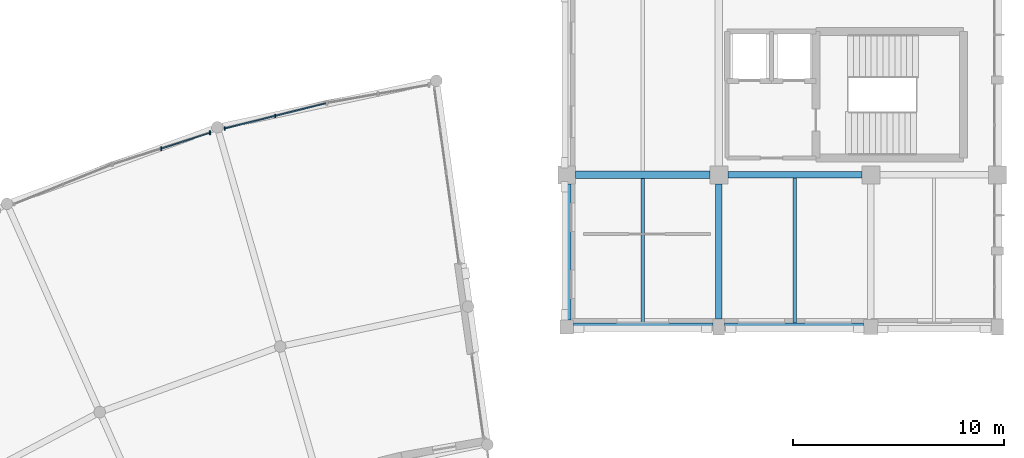
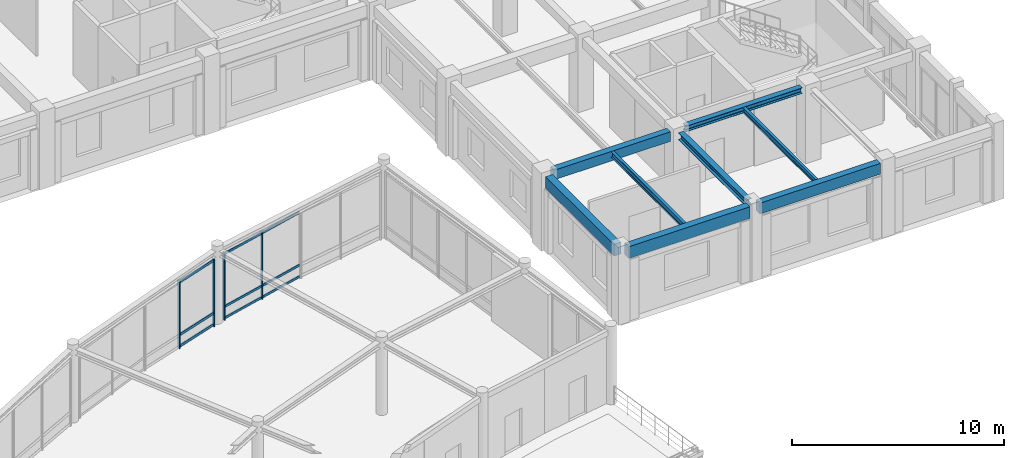
# One storey, part 24 of 62: 13 members, 8 beams, 2 elements without a shape of their own.
"""IFC4 building model written with IfcOpenShell, lengths in metres."""

from ifc_helpers import new_model, si_unit, direction, frame, origin, origin_2d, place, context, subcontext, project, spatial, rectangle, i_section, extrude, material, material_profile, profile_set, type_object, element, aggregate, save


model = new_model("IFC4")

# Units and contexts
model_context = context("Model", 3, precision=1e-05, world=origin(), true_north=direction((0.0, 1.0)))
body_context = subcontext(model_context, "Body", "Model", "MODEL_VIEW")
ifc_project = project(units=[si_unit("LENGTHUNIT", "METRE"), si_unit("AREAUNIT", "SQUARE_METRE"), si_unit("VOLUMEUNIT", "CUBIC_METRE"), si_unit("PLANEANGLEUNIT", "RADIAN"), si_unit("MASSUNIT", "GRAM", prefix="KILO")], contexts=[model_context])

# Site, building, storey
site_placement = place(None, origin())
site = spatial("IfcSite", under=ifc_project, at=site_placement, CompositionType="ELEMENT")
building_placement = place(site_placement, origin())
building = spatial("IfcBuilding", under=site, at=building_placement, Name="Clarverna Civic Hall", CompositionType="ELEMENT")
storey_placement = place(building_placement, frame((0.0, 0.0, 5.10009765625)))
storey = spatial("IfcBuildingStorey", under=building, at=storey_placement, Name="L01", CompositionType="ELEMENT", Elevation=5.10009765625)

# Beams
ifc_material_1 = material(Name="Concrete C35/45", Category="concrete")
ifc_material_profile_1 = material_profile(ifc_material_1, rectangle(XDim=0.35009765625, YDim=0.550048828125, at=origin_2d()), Name="RC 350x550")
ifc_profile_set_1 = profile_set([ifc_material_profile_1], Name="Concrete C35/45")
beam_type_1 = type_object("IfcBeamType", Name="B-RC9", PredefinedType="BEAM", material=ifc_profile_set_1)
beam_1_placement = place(storey_placement, frame((148.02490234375, 78.800048828125, 3.94482421875), z_axis=(1.0, 0.0, 0.0), x_axis=(0.0, 1.0, 0.0)))
element("IfcBeam", 1, at=beam_1_placement, inside=storey, type_object=beam_type_1, Name="B-RC9-026", PredefinedType="BEAM", context=body_context, shape_type="SweptSolid", body=[
    extrude(rectangle(XDim=0.35009765625, YDim=0.550048828125, at=origin_2d()), origin(), (0.0, 0.0, 1.0), 6.35009765625),
])
ifc_material_profile_2 = material_profile(ifc_material_1, rectangle(XDim=0.3798828125, YDim=0.679931640625, at=origin_2d()), Name="RC 380x680")
ifc_profile_set_2 = profile_set([ifc_material_profile_2], Name="Concrete C35/45")
beam_type_2 = type_object("IfcBeamType", Name="B-SP2", PredefinedType="SPANDREL", material=ifc_profile_set_2)
beam_2_placement = place(storey_placement, frame((147.925048828125, 71.60009765625, 3.8798828125), z_axis=(1.0, 0.0, 0.0), x_axis=(0.0, 1.0, 0.0)))
element("IfcBeam", 2, at=beam_2_placement, inside=storey, type_object=beam_type_2, Name="B-SP2-061", PredefinedType="SPANDREL", context=body_context, shape_type="SweptSolid", body=[
    extrude(rectangle(XDim=0.3798828125, YDim=0.679931640625, at=origin_2d()), origin(), (0.0, 0.0, 1.0), 6.599853515625),
])
beam_3_placement = place(storey_placement, frame((147.60009765625, 71.925048828125, 3.8798828125), z_axis=(0.0, 1.0, 0.0), x_axis=(-1.0, 0.0, 0.0)))
element("IfcBeam", 3, at=beam_3_placement, inside=storey, type_object=beam_type_2, Name="B-SP2-080", PredefinedType="SPANDREL", context=body_context, shape_type="SweptSolid", body=[
    extrude(rectangle(XDim=0.3798828125, YDim=0.679931640625, at=origin_2d()), origin(), (0.0, 0.0, 1.0), 6.449951171875),
])
ifc_material_profile_3 = material_profile(ifc_material_1, rectangle(XDim=0.360107421875, YDim=0.6201171875, at=origin_2d()), Name="RC 360x620")
ifc_profile_set_3 = profile_set([ifc_material_profile_3], Name="Concrete C35/45")
beam_type_3 = type_object("IfcBeamType", Name="B-SP3", PredefinedType="SPANDREL", material=ifc_profile_set_3)
beam_4_placement = place(storey_placement, frame((155.074951171875, 71.60009765625, 3.909912109375), z_axis=(1.0, 0.0, 0.0), x_axis=(0.0, 1.0, 0.0)))
element("IfcBeam", 4, at=beam_4_placement, inside=storey, type_object=beam_type_3, Name="B-SP3-062", PredefinedType="SPANDREL", context=body_context, shape_type="SweptSolid", body=[
    extrude(rectangle(XDim=0.360107421875, YDim=0.6201171875, at=origin_2d()), origin(), (0.0, 0.0, 1.0), 6.574951171875),
])
ifc_material_2 = material(Name="Steel S355", Category="steel")
ifc_material_profile_4 = material_profile(ifc_material_2, i_section(OverallWidth=0.300048828125, OverallDepth=0.39990234375, WebThickness=0.013427734375, FlangeThickness=0.02392578125, FilletRadius=0.027099609375, at=origin_2d()), Name="HEB 400")
ifc_profile_set_4 = profile_set([ifc_material_profile_4], Name="Steel S355")
beam_type_4 = type_object("IfcBeamType", Name="B-ST4", PredefinedType="BEAM", material=ifc_profile_set_4)
beam_5_placement = place(storey_placement, frame((154.800048828125, 71.97509765625, 4.02001953125), z_axis=(0.0, 1.0, 0.0), x_axis=(-1.0, 0.0, 0.0)))
element("IfcBeam", 5, at=beam_5_placement, inside=storey, type_object=beam_type_4, Name="B-ST4-008", PredefinedType="BEAM", context=body_context, shape_type="SweptSolid", body=[
    extrude(i_section(OverallWidth=0.300048828125, OverallDepth=0.39990234375, WebThickness=0.013427734375, FlangeThickness=0.02392578125, FilletRadius=0.027099609375, at=origin_2d()), origin(), (0.0, 0.0, 1.0), 6.39990234375),
])
ifc_material_profile_5 = material_profile(ifc_material_2, i_section(OverallWidth=0.300048828125, OverallDepth=0.330078125, WebThickness=0.009521484375, FlangeThickness=0.0166015625, FilletRadius=0.027099609375, at=origin_2d()), Name="HEA 340")
ifc_profile_set_5 = profile_set([ifc_material_profile_5], Name="Steel S355")
beam_type_5 = type_object("IfcBeamType", Name="B-ST8", PredefinedType="BEAM", material=ifc_profile_set_5)
beam_6_placement = place(storey_placement, frame((155.22509765625, 78.800048828125, 4.054931640625), z_axis=(1.0, 0.0, 0.0), x_axis=(0.0, 1.0, 0.0)))
element("IfcBeam", 6, at=beam_6_placement, inside=storey, type_object=beam_type_5, Name="B-ST8-055", PredefinedType="BEAM", context=body_context, shape_type="SweptSolid", body=[
    extrude(i_section(OverallWidth=0.300048828125, OverallDepth=0.330078125, WebThickness=0.009521484375, FlangeThickness=0.0166015625, FilletRadius=0.027099609375, at=origin_2d()), origin(), (0.0, 0.0, 1.0), 6.349853515625),
])

# Curtain wall, members
ifc_material_3 = material(Name="Anodised Bronze Architectural Aluminium", Category="aluminium")
curtain_wall_type = type_object("IfcCurtainWallType", Name="CW-03", PredefinedType="USERDEFINED", material=ifc_material_3)
curtain_wall_1_placement = place(storey_placement, origin())
curtain_wall_1 = element("IfcCurtainWall", 7, at=curtain_wall_1_placement, inside=storey, type_object=curtain_wall_type, Name="CW-03-033", ObjectType="UNITISED CURTAIN WALL", PredefinedType="USERDEFINED")
ifc_material_profile_6 = material_profile(ifc_material_3, rectangle(XDim=0.06005859375, YDim=0.179931640625, at=origin_2d()), Name="BRONZE 60x180")
ifc_profile_set_6 = profile_set([ifc_material_profile_6], Name="Anodised Bronze Architectural Aluminium")
member_type_1 = type_object("IfcMemberType", Name="CWM-01", PredefinedType="MULLION", material=ifc_profile_set_6)
member_1_placement = place(storey_placement, frame((128.393310546875, 80.044921875, 0.0), z_axis=(0.0, 0.0, 1.0), x_axis=(1.0, 0.0, 0.0)))
member_1 = element("IfcMember", 8, at=member_1_placement, type_object=member_type_1, Name="CWM-01-048", PredefinedType="MULLION", context=body_context, shape_type="SweptSolid", body=[
    extrude(rectangle(XDim=0.06005859375, YDim=0.179931640625, at=origin_2d()), origin(), (0.0, 0.0, 1.0), 3.889892578125),
])
member_2_placement = place(storey_placement, frame((130.705078125, 80.796142578125, 0.0), z_axis=(0.0, 0.0, 1.0), x_axis=(1.0, 0.0, 0.0)))
member_2 = element("IfcMember", 9, at=member_2_placement, type_object=member_type_1, Name="CWM-01-049", PredefinedType="MULLION", context=body_context, shape_type="SweptSolid", body=[
    extrude(rectangle(XDim=0.06005859375, YDim=0.179931640625, at=origin_2d()), origin(), (0.0, 0.0, 1.0), 3.889892578125),
])

curtain_wall_2_placement = place(storey_placement, origin())
curtain_wall_2 = element("IfcCurtainWall", 10, at=curtain_wall_2_placement, inside=storey, type_object=curtain_wall_type, Name="CW-03-034", ObjectType="UNITISED CURTAIN WALL", PredefinedType="USERDEFINED")
ifc_material_profile_7 = material_profile(ifc_material_3, rectangle(XDim=0.06005859375, YDim=0.159912109375, at=origin_2d()), Name="BRONZE 60x160")
ifc_profile_set_7 = profile_set([ifc_material_profile_7], Name="Anodised Bronze Architectural Aluminium")
member_type_2 = type_object("IfcMemberType", Name="CWM-02", PredefinedType="MULLION", material=ifc_profile_set_7)
member_3_placement = place(storey_placement, frame((131.398681640625, 80.998291015625, 0.0), z_axis=(0.0, 0.0, 1.0), x_axis=(1.0, 0.0, 0.0)))
member_3 = element("IfcMember", 11, at=member_3_placement, type_object=member_type_2, Name="CWM-02-059", PredefinedType="MULLION", context=body_context, shape_type="SweptSolid", body=[
    extrude(rectangle(XDim=0.06005859375, YDim=0.159912109375, at=origin_2d()), origin(), (0.0, 0.0, 1.0), 3.889892578125),
])
member_4_placement = place(storey_placement, frame((133.799560546875, 81.5966796875, 0.0), z_axis=(0.0, 0.0, 1.0), x_axis=(1.0, 0.0, 0.0)))
member_4 = element("IfcMember", 12, at=member_4_placement, type_object=member_type_2, Name="CWM-02-060", PredefinedType="MULLION", context=body_context, shape_type="SweptSolid", body=[
    extrude(rectangle(XDim=0.06005859375, YDim=0.159912109375, at=origin_2d()), origin(), (0.0, 0.0, 1.0), 3.889892578125),
])

# Member
ifc_material_profile_8 = material_profile(ifc_material_3, rectangle(XDim=0.06005859375, YDim=0.14990234375, at=origin_2d()), Name="BRONZE 60x150")
ifc_profile_set_8 = profile_set([ifc_material_profile_8], Name="Anodised Bronze Architectural Aluminium")
member_type_3 = type_object("IfcMemberType", Name="CWT-01", PredefinedType="USERDEFINED", material=ifc_profile_set_8)
member_5_placement = place(storey_placement, frame((128.407470703125, 80.049560546875, 0.094970703125), z_axis=(0.951055736875, 0.309019393175, 0.0), x_axis=(-0.309019393175, 0.951055736875, 0.0)))
member_5 = element("IfcMember", 13, at=member_5_placement, type_object=member_type_3, Name="CWT-01-100", ObjectType="TRANSOM", PredefinedType="USERDEFINED", context=body_context, shape_type="SweptSolid", body=[
    extrude(rectangle(XDim=0.06005859375, YDim=0.14990234375, at=origin_2d()), origin(), (0.0, 0.0, 1.0), 2.40087890625),
])

member_6_placement = place(storey_placement, frame((128.407470703125, 80.049560546875, 0.75), z_axis=(0.951055736875, 0.309019393175, 0.0), x_axis=(-0.309019393175, 0.951055736875, 0.0)))
member_6 = element("IfcMember", 14, at=member_6_placement, type_object=member_type_3, Name="CWT-01-101", ObjectType="TRANSOM", PredefinedType="USERDEFINED", context=body_context, shape_type="SweptSolid", body=[
    extrude(rectangle(XDim=0.06005859375, YDim=0.14990234375, at=origin_2d()), origin(), (0.0, 0.0, 1.0), 2.40087890625),
])

member_7_placement = place(storey_placement, frame((128.407470703125, 80.049560546875, 3.794921875), z_axis=(0.951055736875, 0.309019393175, 0.0), x_axis=(-0.309019393175, 0.951055736875, 0.0)))
member_7 = element("IfcMember", 15, at=member_7_placement, type_object=member_type_3, Name="CWT-01-102", ObjectType="TRANSOM", PredefinedType="USERDEFINED", context=body_context, shape_type="SweptSolid", body=[
    extrude(rectangle(XDim=0.06005859375, YDim=0.14990234375, at=origin_2d()), origin(), (0.0, 0.0, 1.0), 2.40087890625),
])

aggregate(curtain_wall_1, [member_1, member_2, member_5, member_6, member_7])

ifc_material_profile_9 = material_profile(ifc_material_3, rectangle(XDim=0.06005859375, YDim=0.1298828125, at=origin_2d()), Name="BRONZE 60x130")
ifc_profile_set_9 = profile_set([ifc_material_profile_9], Name="Anodised Bronze Architectural Aluminium")
member_type_4 = type_object("IfcMemberType", Name="CWT-02", PredefinedType="USERDEFINED", material=ifc_profile_set_9)
member_8_placement = place(storey_placement, frame((131.4130859375, 81.001708984375, 0.094970703125), z_axis=(0.970277473447, 0.241995091936, 0.0), x_axis=(-0.241995091936, 0.970277473447, 0.0)))
member_8 = element("IfcMember", 16, at=member_8_placement, type_object=member_type_4, Name="CWT-02-121", ObjectType="TRANSOM", PredefinedType="USERDEFINED", context=body_context, shape_type="SweptSolid", body=[
    extrude(rectangle(XDim=0.06005859375, YDim=0.1298828125, at=origin_2d()), origin(), (0.0, 0.0, 1.0), 2.444580078125),
])

member_9_placement = place(storey_placement, frame((131.4130859375, 81.001708984375, 0.75), z_axis=(0.970277473447, 0.241995091936, 0.0), x_axis=(-0.241995091936, 0.970277473447, 0.0)))
member_9 = element("IfcMember", 17, at=member_9_placement, type_object=member_type_4, Name="CWT-02-122", ObjectType="TRANSOM", PredefinedType="USERDEFINED", context=body_context, shape_type="SweptSolid", body=[
    extrude(rectangle(XDim=0.06005859375, YDim=0.1298828125, at=origin_2d()), origin(), (0.0, 0.0, 1.0), 2.444580078125),
])

member_10_placement = place(storey_placement, frame((131.4130859375, 81.001708984375, 3.794921875), z_axis=(0.970277473447, 0.241995091936, 0.0), x_axis=(-0.241995091936, 0.970277473447, 0.0)))
member_10 = element("IfcMember", 18, at=member_10_placement, type_object=member_type_4, Name="CWT-02-123", ObjectType="TRANSOM", PredefinedType="USERDEFINED", context=body_context, shape_type="SweptSolid", body=[
    extrude(rectangle(XDim=0.06005859375, YDim=0.1298828125, at=origin_2d()), origin(), (0.0, 0.0, 1.0), 2.444580078125),
])

member_11_placement = place(storey_placement, frame((133.814208984375, 81.600341796875, 0.094970703125), z_axis=(0.970277473447, 0.241995091936, 0.0), x_axis=(-0.241995091936, 0.970277473447, 0.0)))
member_11 = element("IfcMember", 19, at=member_11_placement, type_object=member_type_4, Name="CWT-02-124", ObjectType="TRANSOM", PredefinedType="USERDEFINED", context=body_context, shape_type="SweptSolid", body=[
    extrude(rectangle(XDim=0.06005859375, YDim=0.1298828125, at=origin_2d()), origin(), (0.0, 0.0, 1.0), 2.444580078125),
])

member_12_placement = place(storey_placement, frame((133.814208984375, 81.600341796875, 0.75), z_axis=(0.970277473447, 0.241995091936, 0.0), x_axis=(-0.241995091936, 0.970277473447, 0.0)))
member_12 = element("IfcMember", 20, at=member_12_placement, type_object=member_type_4, Name="CWT-02-125", ObjectType="TRANSOM", PredefinedType="USERDEFINED", context=body_context, shape_type="SweptSolid", body=[
    extrude(rectangle(XDim=0.06005859375, YDim=0.1298828125, at=origin_2d()), origin(), (0.0, 0.0, 1.0), 2.444580078125),
])

member_13_placement = place(storey_placement, frame((133.814208984375, 81.600341796875, 3.794921875), z_axis=(0.970277473447, 0.241995091936, 0.0), x_axis=(-0.241995091936, 0.970277473447, 0.0)))
member_13 = element("IfcMember", 21, at=member_13_placement, type_object=member_type_4, Name="CWT-02-126", ObjectType="TRANSOM", PredefinedType="USERDEFINED", context=body_context, shape_type="SweptSolid", body=[
    extrude(rectangle(XDim=0.06005859375, YDim=0.1298828125, at=origin_2d()), origin(), (0.0, 0.0, 1.0), 2.444580078125),
])

aggregate(curtain_wall_2, [member_3, member_4, member_8, member_9, member_10, member_11, member_12, member_13])

# Beams
ifc_material_profile_10 = material_profile(ifc_material_2, i_section(OverallWidth=0.159912109375, OverallDepth=0.330078125, WebThickness=0.007568359375, FlangeThickness=0.011474609375, FilletRadius=0.01806640625, at=origin_2d()), Name="IPE 330")
ifc_profile_set_10 = profile_set([ifc_material_profile_10], Name="Steel S355")
beam_type_6 = type_object("IfcBeamType", Name="J-ST2", PredefinedType="JOIST", material=ifc_profile_set_10)
beam_7_placement = place(storey_placement, frame((151.199951171875, 71.7900390625, 4.054931640625), z_axis=(0.0, 1.0, 0.0), x_axis=(-1.0, 0.0, 0.0)))
element("IfcBeam", 22, at=beam_7_placement, inside=storey, type_object=beam_type_6, Name="J-ST2-041", PredefinedType="JOIST", context=body_context, shape_type="SweptSolid", body=[
    extrude(i_section(OverallWidth=0.159912109375, OverallDepth=0.330078125, WebThickness=0.007568359375, FlangeThickness=0.011474609375, FilletRadius=0.01806640625, at=origin_2d()), origin(), (0.0, 0.0, 1.0), 6.8349609375),
])
ifc_material_profile_11 = material_profile(ifc_material_2, i_section(OverallWidth=0.14990234375, OverallDepth=0.300048828125, WebThickness=0.007080078125, FlangeThickness=0.0107421875, FilletRadius=0.014892578125, at=origin_2d()), Name="IPE 300")
ifc_profile_set_11 = profile_set([ifc_material_profile_11], Name="Steel S355")
beam_type_7 = type_object("IfcBeamType", Name="J-ST3", PredefinedType="JOIST", material=ifc_profile_set_11)
beam_8_placement = place(storey_placement, frame((158.39990234375, 71.780029296875, 4.06982421875), z_axis=(0.0, 1.0, 0.0), x_axis=(-1.0, 0.0, 0.0)))
element("IfcBeam", 23, at=beam_8_placement, inside=storey, type_object=beam_type_7, Name="J-ST3-041", PredefinedType="JOIST", context=body_context, shape_type="SweptSolid", body=[
    extrude(i_section(OverallWidth=0.14990234375, OverallDepth=0.300048828125, WebThickness=0.007080078125, FlangeThickness=0.0107421875, FilletRadius=0.014892578125, at=origin_2d()), origin(), (0.0, 0.0, 1.0), 6.869873046875),
])

save(model, "model.ifc")
